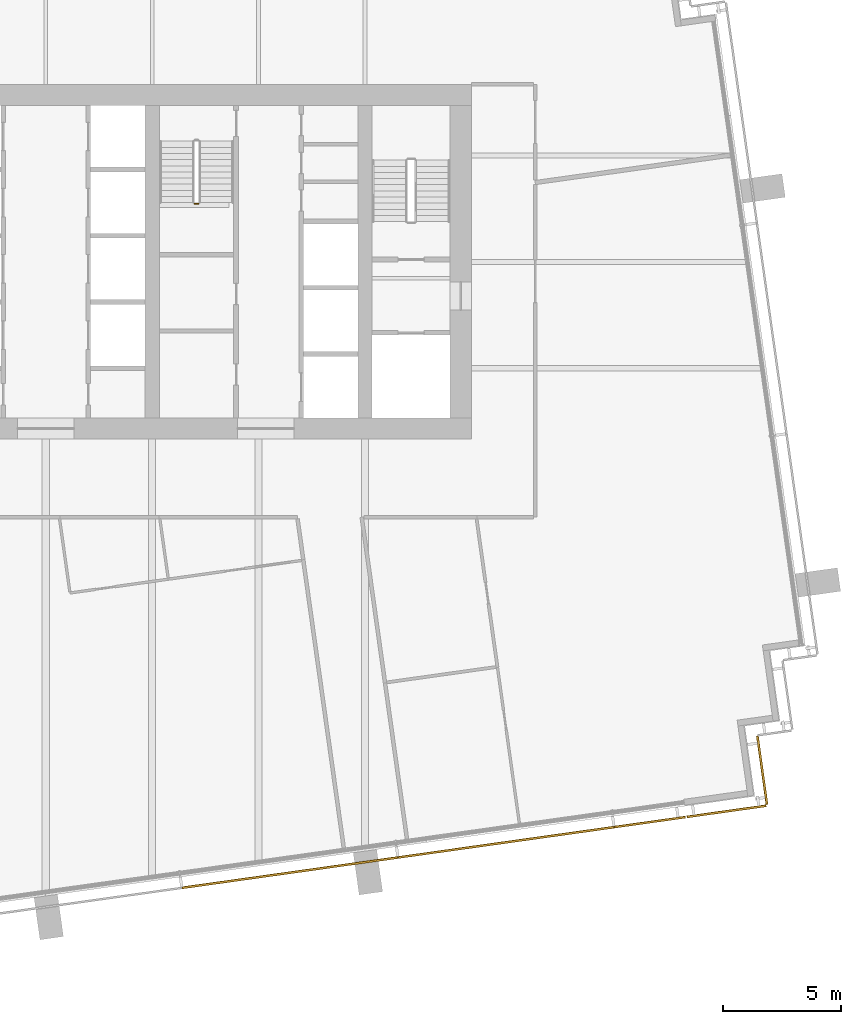
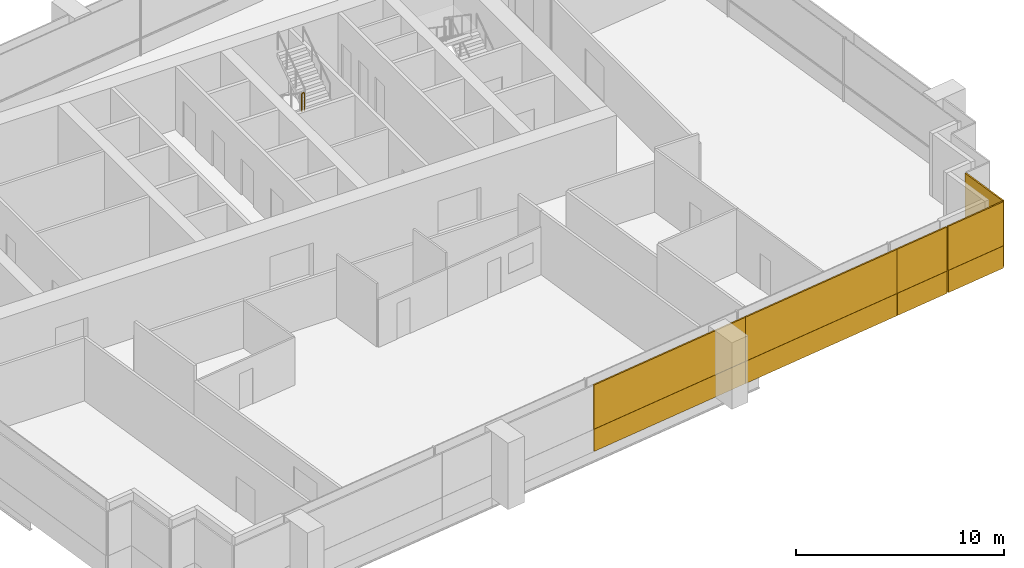
# One storey, part 14 of 17: 10 coverings, 1 railing.
"""IFC4 building model written with IfcOpenShell, lengths in metres."""

from ifc_helpers import new_model, si_unit, direction, frame, origin, origin_2d, place, context, subcontext, project, spatial, rectangle, extrude, material, layer, layer_set, type_object, element, save


model = new_model("IFC4")

# Units and contexts
model_context = context("Model", 3, precision=1e-05, world=origin(), true_north=direction((0.0, 1.0)))
body_context = subcontext(model_context, "Body", "Model", "MODEL_VIEW")
ifc_project = project(units=[si_unit("LENGTHUNIT", "METRE"), si_unit("AREAUNIT", "SQUARE_METRE"), si_unit("VOLUMEUNIT", "CUBIC_METRE"), si_unit("PLANEANGLEUNIT", "RADIAN"), si_unit("MASSUNIT", "GRAM", prefix="KILO")], contexts=[model_context])

# Site, building, storey
site_placement = place(None, origin())
site = spatial("IfcSite", under=ifc_project, at=site_placement, CompositionType="ELEMENT")
building_placement = place(site_placement, origin())
building = spatial("IfcBuilding", under=site, at=building_placement, Name="Rattan Terrace Tower", CompositionType="ELEMENT")
storey_placement = place(building_placement, frame((0.0, 0.0, 221.300048828125)))
storey = spatial("IfcBuildingStorey", under=building, at=storey_placement, Name="L50", CompositionType="ELEMENT", Elevation=221.300048828125)

# Railing
ifc_material_1 = material(Name="Powder-coated steel guard", Category="steel")
railing_type = type_object("IfcRailingType", Name="Core stair guard", PredefinedType="GUARDRAIL", material=ifc_material_1)
railing_placement = place(storey_placement, frame((6.300048828125, 2.449951171875, 1.949951171875)))
element("IfcRailing", 1, at=railing_placement, inside=storey, type_object=railing_type, Name="L50 S3 stair guard 2", PredefinedType="GUARDRAIL", context=body_context, shape_type="SweptSolid", body=[
    extrude(rectangle(XDim=0.048095703125, YDim=0.048095703125, at=origin_2d()), frame((0.0, 0.0, 1.076171875), z_axis=(1.0, 0.0, 0.0), x_axis=(0.0, 1.0, 0.0)), (0.0, 0.0, 1.0), 0.14990234375),
    extrude(rectangle(XDim=0.0419921875, YDim=0.0419921875, at=origin_2d()), origin(), (0.0, 0.0, 1.0), 1.052001953125),
    extrude(rectangle(XDim=0.0419921875, YDim=0.0419921875, at=origin_2d()), frame((0.14990234375, 0.0, 0.0)), (0.0, 0.0, 1.0), 1.052001953125),
])

# Coverings
ifc_material_2 = material(Name="Solid terracotta", Category="masonry")
ifc_layer_1 = layer(ifc_material_2, 0.090087890625)
ifc_layer_set_1 = layer_set([ifc_layer_1], Name="Facade Terracotta Band Panel HZ")
covering_type_1 = type_object("IfcCoveringType", Name="Facade Terracotta Band Panel HZ", PredefinedType="CLADDING", material=ifc_layer_set_1)
covering_1_placement = place(storey_placement, frame((28.7919921875, -23.2470703125, -0.18994140625), z_axis=(0.0, 0.0, 1.0), x_axis=(0.990247240581, 0.139321220646, 0.0)))
element("IfcCovering", 2, at=covering_1_placement, inside=storey, type_object=covering_type_1, Name="OUTER SKIN panel L50-1A", PredefinedType="CLADDING", context=body_context, shape_type="SweptSolid", body=[
    extrude(rectangle(XDim=3.3701171875, YDim=0.090087890625, at=origin_2d()), origin(), (0.0, 0.0, 1.0), 1.300048828125),
])
covering_2_placement = place(storey_placement, frame((30.304443359375, -21.50439453125, -0.18994140625), z_axis=(0.0, 0.0, 1.0), x_axis=(-0.138994363123, 0.990293172258, 0.0)))
element("IfcCovering", 3, at=covering_2_placement, inside=storey, type_object=covering_type_1, Name="OUTER SKIN panel L50-2A", PredefinedType="CLADDING", context=body_context, shape_type="SweptSolid", body=[
    extrude(rectangle(XDim=2.919921875, YDim=0.090087890625, at=origin_2d()), origin(), (0.0, 0.0, 1.0), 1.300048828125),
])
for number, where, z_axis, x_axis, name in (
    (4, (10.32666015625, -25.842529296875, -0.18994140625), (0.0, 0.0, 1.0), (0.990267457022, 0.139177453499, 0.0), "OUTER SKIN panel L50-34A"),
    (5, (19.4677734375, -24.557861328125, -0.18994140625), (0.0, 0.0, 1.0), (0.990267457022, 0.139177453499, 0.0), "OUTER SKIN panel L50-35A"),
):
    element("IfcCovering", number, at=place(storey_placement, frame(where, z_axis=z_axis, x_axis=x_axis)), inside=storey, type_object=covering_type_1, Name=name, PredefinedType="CLADDING", context=body_context, shape_type="SweptSolid", body=[
        extrude(rectangle(XDim=9.2109375, YDim=0.090087890625, at=origin_2d()), origin(), (0.0, 0.0, 1.0), 1.300048828125),
    ])
covering_3_placement = place(storey_placement, frame((25.546142578125, -23.70361328125, -0.18994140625), z_axis=(0.0, 0.0, 1.0), x_axis=(0.990267457022, 0.139177453499, 0.0)))
element("IfcCovering", 6, at=covering_3_placement, inside=storey, type_object=covering_type_1, Name="OUTER SKIN panel L50-36A", PredefinedType="CLADDING", context=body_context, shape_type="SweptSolid", body=[
    extrude(rectangle(XDim=3.025390625, YDim=0.090087890625, at=origin_2d()), origin(), (0.0, 0.0, 1.0), 1.300048828125),
])
ifc_material_3 = material(Name="Perforated terracotta", Category="masonry")
ifc_layer_2 = layer(ifc_material_3, 0.080078125)
ifc_layer_set_2 = layer_set([ifc_layer_2], Name="Facade Terracotta Screen Panel HZ")
covering_type_2 = type_object("IfcCoveringType", Name="Facade Terracotta Screen Panel HZ", PredefinedType="CLADDING", material=ifc_layer_set_2)
covering_4_placement = place(storey_placement, frame((28.791259765625, -23.2421875, 1.10986328125), z_axis=(0.0, 0.0, 1.0), x_axis=(0.990247240581, 0.139321220646, 0.0)))
element("IfcCovering", 7, at=covering_4_placement, inside=storey, type_object=covering_type_2, Name="OUTER SKIN panel L50-1B", PredefinedType="CLADDING", context=body_context, shape_type="SweptSolid", body=[
    extrude(rectangle(XDim=3.3701171875, YDim=0.080078125, at=origin_2d()), origin(), (0.0, 0.0, 1.0), 2.580078125),
])
covering_5_placement = place(storey_placement, frame((30.299560546875, -21.505126953125, 1.10986328125), z_axis=(0.0, 0.0, 1.0), x_axis=(-0.138994363123, 0.990293172258, 0.0)))
element("IfcCovering", 8, at=covering_5_placement, inside=storey, type_object=covering_type_2, Name="OUTER SKIN panel L50-2B", PredefinedType="CLADDING", context=body_context, shape_type="SweptSolid", body=[
    extrude(rectangle(XDim=2.919921875, YDim=0.080078125, at=origin_2d()), origin(), (0.0, 0.0, 1.0), 2.580078125),
])
for number, where, z_axis, x_axis, name in (
    (9, (10.325927734375, -25.837646484375, 1.10986328125), (0.0, 0.0, 1.0), (0.990267457022, 0.139177453499, 0.0), "OUTER SKIN panel L50-34B"),
    (10, (19.467041015625, -24.552978515625, 1.10986328125), (0.0, 0.0, 1.0), (0.990267457022, 0.139177453499, 0.0), "OUTER SKIN panel L50-35B"),
):
    element("IfcCovering", number, at=place(storey_placement, frame(where, z_axis=z_axis, x_axis=x_axis)), inside=storey, type_object=covering_type_2, Name=name, PredefinedType="CLADDING", context=body_context, shape_type="SweptSolid", body=[
        extrude(rectangle(XDim=9.2109375, YDim=0.080078125, at=origin_2d()), origin(), (0.0, 0.0, 1.0), 2.580078125),
    ])
covering_6_placement = place(storey_placement, frame((25.54541015625, -23.69873046875, 1.10986328125), z_axis=(0.0, 0.0, 1.0), x_axis=(0.990267457022, 0.139177453499, 0.0)))
element("IfcCovering", 11, at=covering_6_placement, inside=storey, type_object=covering_type_2, Name="OUTER SKIN panel L50-36B", PredefinedType="CLADDING", context=body_context, shape_type="SweptSolid", body=[
    extrude(rectangle(XDim=3.025390625, YDim=0.080078125, at=origin_2d()), origin(), (0.0, 0.0, 1.0), 2.580078125),
])

save(model, "model.ifc")
